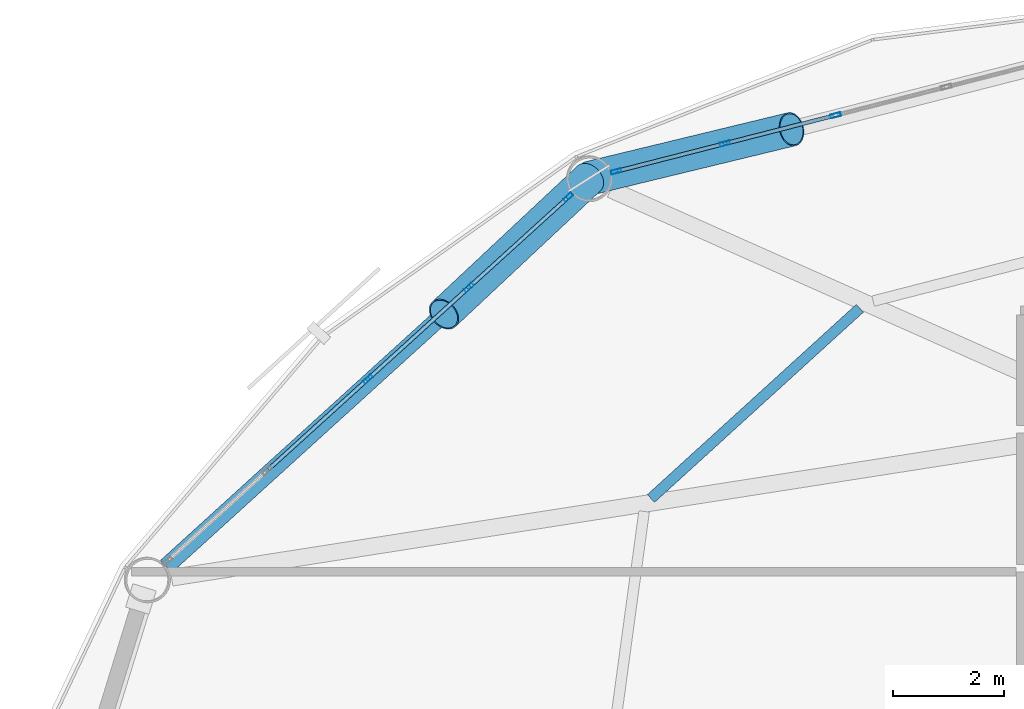
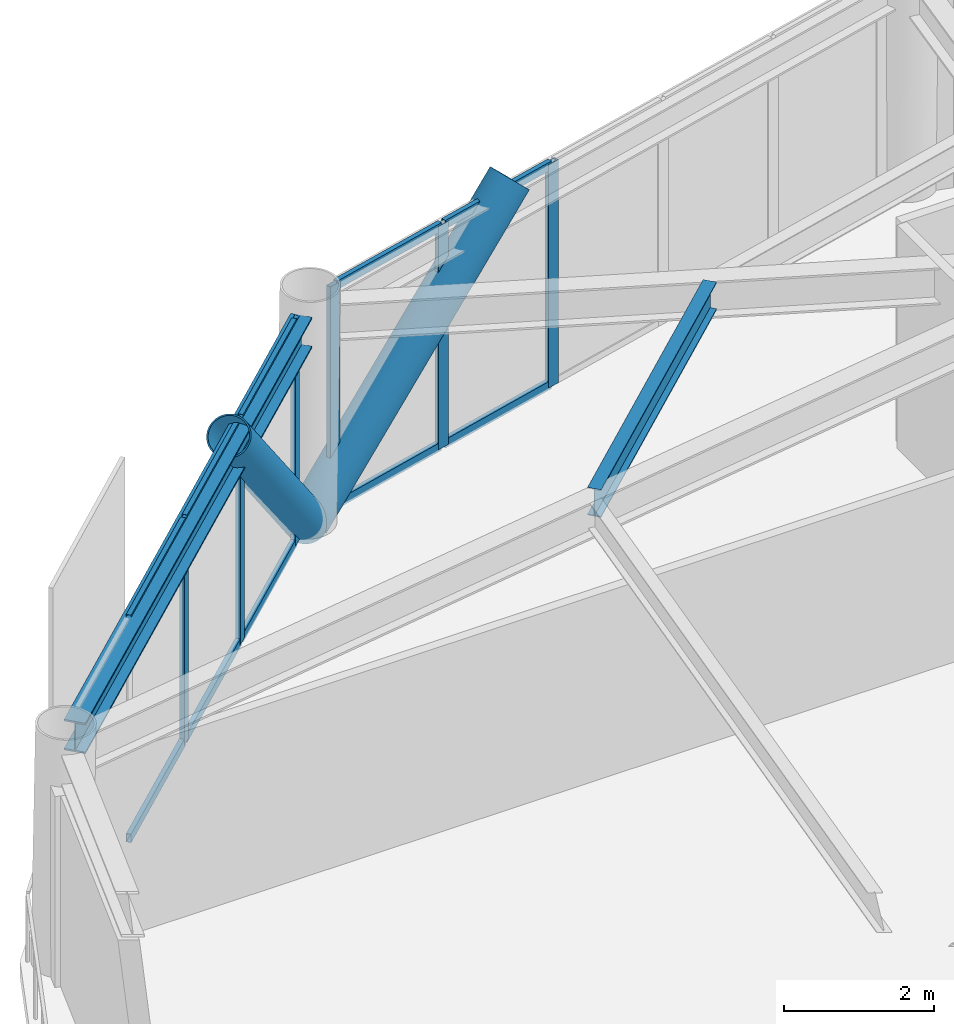
# One storey, part 16 of 26: 18 members, 2 beams, 2 elements without a shape of their own.
"""IFC4 building model written with IfcOpenShell, lengths in metres."""

from ifc_helpers import new_model, si_unit, direction, frame, origin, origin_2d, place, context, subcontext, project, spatial, hollow_rectangle, hollow_circle, i_section, extrude, material, layer, layer_set, material_profile, profile_set, type_object, element, aggregate, save


model = new_model("IFC4")

# Units and contexts
model_context = context("Model", 3, precision=1e-05, world=origin(), true_north=direction((0.0, 1.0)))
body_context = subcontext(model_context, "Body", "Model", "MODEL_VIEW")
ifc_project = project(units=[si_unit("LENGTHUNIT", "METRE"), si_unit("AREAUNIT", "SQUARE_METRE"), si_unit("VOLUMEUNIT", "CUBIC_METRE"), si_unit("PLANEANGLEUNIT", "RADIAN"), si_unit("MASSUNIT", "GRAM", prefix="KILO")], contexts=[model_context])

# Site, building, storey
site_placement = place(None, origin())
site = spatial("IfcSite", under=ifc_project, at=site_placement, CompositionType="ELEMENT")
building_placement = place(site_placement, origin())
building = spatial("IfcBuilding", under=site, at=building_placement, Name="Varnakorn Sky Granary", CompositionType="ELEMENT")
storey_placement = place(building_placement, frame((0.0, 0.0, 87.60009765625)))
storey = spatial("IfcBuildingStorey", under=building, at=storey_placement, Name="L21", CompositionType="ELEMENT", Elevation=87.60009765625)

# Beams
ifc_material_1 = material(Name="Steel S355JR", Category="steel")
ifc_material_profile_1 = material_profile(ifc_material_1, i_section(OverallWidth=0.18994140625, OverallDepth=0.449951171875, WebThickness=0.009521484375, FlangeThickness=0.0146484375, at=origin_2d()), Name="IPE 450")
ifc_profile_set_1 = profile_set([ifc_material_profile_1], Name="Steel S355JR")
beam_type_1 = type_object("IfcBeamType", Name="BM-SEC-Z2", PredefinedType="BEAM", material=ifc_profile_set_1)
beam_1_placement = place(storey_placement, frame((-7.488525390625, 14.737548828125, 3.414794921875), z_axis=(-0.739520126084, -0.673134446539, 0.0), x_axis=(0.673134446539, -0.739520126084, 0.0)))
element("IfcBeam", 1, at=beam_1_placement, inside=storey, type_object=beam_type_1, Name="Secondary Floor Chord Beam MSB05 L21", PredefinedType="BEAM", context=body_context, shape_type="SweptSolid", body=[
    extrude(i_section(OverallWidth=0.18994140625, OverallDepth=0.449951171875, WebThickness=0.009521484375, FlangeThickness=0.0146484375, at=origin_2d()), origin(), (0.0, 0.0, 1.0), 5.078857421875),
])
ifc_material_profile_2 = material_profile(ifc_material_1, i_section(OverallWidth=0.300048828125, OverallDepth=0.5, WebThickness=0.014404296875, FlangeThickness=0.028076171875, at=origin_2d()), Name="HE 500 B")
ifc_profile_set_2 = profile_set([ifc_material_profile_2], Name="Steel S355JR")
beam_type_2 = type_object("IfcBeamType", Name="BM-SPD-Z2", PredefinedType="SPANDREL", material=ifc_profile_set_2)
beam_2_placement = place(storey_placement, frame((-12.61376953125, 16.768798828125, 3.389892578125), z_axis=(-0.740163814334, -0.6724265967, 0.0), x_axis=(0.6724265967, -0.740163814334, 0.0)))
element("IfcBeam", 2, at=beam_2_placement, inside=storey, type_object=beam_type_2, Name="Perimeter Spandrel Ring Beam RB05 L21", PredefinedType="SPANDREL", context=body_context, shape_type="SweptSolid", body=[
    extrude(i_section(OverallWidth=0.300048828125, OverallDepth=0.5, WebThickness=0.014404296875, FlangeThickness=0.028076171875, at=origin_2d()), origin(), (0.0, 0.0, 1.0), 9.92236328125),
])

# Curtain wall, members
ifc_material_2 = material(Name="Anodised Bronze Aluminium Alloy 6063-T6", Category="aluminium")
ifc_layer = layer(ifc_material_2, 0.18994140625, Name="Anodised Bronze Aluminium Alloy 6063-T6")
ifc_layer_set = layer_set([ifc_layer], Name="Anodised Bronze Aluminium Alloy 6063-T6")
curtain_wall_type = type_object("IfcCurtainWallType", Name="CW-FRM-1", PredefinedType="USERDEFINED", material=ifc_layer_set)
curtain_wall_1_placement = place(storey_placement, origin())
curtain_wall_1 = element("IfcCurtainWall", 3, at=curtain_wall_1_placement, inside=storey, type_object=curtain_wall_type, Name="Unitised Curtain Wall CW3 CW-L21-B04", ObjectType="CURTAIN WALL", PredefinedType="USERDEFINED")
ifc_material_profile_3 = material_profile(ifc_material_2, hollow_rectangle(XDim=0.070068359375, YDim=0.18505859375, WallThickness=0.00390625, at=origin_2d()), Name="ALU MULL 70x185")
ifc_profile_set_3 = profile_set([ifc_material_profile_3], Name="Anodised Bronze Aluminium Alloy 6063-T6")
member_type_1 = type_object("IfcMemberType", Name="CW-FRM-1-MULL", PredefinedType="MULLION", material=ifc_profile_set_3)
member_1_placement = place(storey_placement, frame((-11.87158203125, 17.197998046875, 0.0), z_axis=(0.0, 0.0, 1.0), x_axis=(-0.247728719051, 0.96882943894, 0.0)))
member_1 = element("IfcMember", 4, at=member_1_placement, type_object=member_type_1, Name="CW3 mullion 1", PredefinedType="MULLION", context=body_context, shape_type="SweptSolid", body=[
    extrude(hollow_rectangle(XDim=0.070068359375, YDim=0.18505859375, WallThickness=0.00390625, at=origin_2d()), origin(), (0.0, 0.0, 1.0), 3.639892578125),
])
member_2_placement = place(storey_placement, frame((-9.914794921875, 17.6982421875, 0.0), z_axis=(0.0, 0.0, 1.0), x_axis=(-0.247728719051, 0.96882943894, 0.0)))
member_2 = element("IfcMember", 5, at=member_2_placement, type_object=member_type_1, Name="CW3 mullion 2", PredefinedType="MULLION", context=body_context, shape_type="SweptSolid", body=[
    extrude(hollow_rectangle(XDim=0.070068359375, YDim=0.18505859375, WallThickness=0.00390625, at=origin_2d()), origin(), (0.0, 0.0, 1.0), 3.639892578125),
])
member_3_placement = place(storey_placement, frame((-7.924072265625, 18.207275390625, 0.0), z_axis=(0.0, 0.0, 1.0), x_axis=(-0.247728719051, 0.96882943894, 0.0)))
member_3 = element("IfcMember", 6, at=member_3_placement, type_object=member_type_1, Name="CW3 mullion 3", PredefinedType="MULLION", context=body_context, shape_type="SweptSolid", body=[
    extrude(hollow_rectangle(XDim=0.070068359375, YDim=0.18505859375, WallThickness=0.00390625, at=origin_2d()), origin(), (0.0, 0.0, 1.0), 3.639892578125),
])

curtain_wall_2_placement = place(storey_placement, origin())
curtain_wall_2 = element("IfcCurtainWall", 7, at=curtain_wall_2_placement, inside=storey, type_object=curtain_wall_type, Name="Unitised Curtain Wall CW3 CW-L21-B05", ObjectType="CURTAIN WALL", PredefinedType="USERDEFINED")
member_4_placement = place(storey_placement, frame((-16.33154296875, 13.465576171875, 0.0), z_axis=(0.0, 0.0, 1.0), x_axis=(-0.672190262797, 0.74037845093, 0.0)))
member_4 = element("IfcMember", 8, at=member_4_placement, type_object=member_type_1, Name="CW3 mullion 3", PredefinedType="MULLION", context=body_context, shape_type="SweptSolid", body=[
    extrude(hollow_rectangle(XDim=0.070068359375, YDim=0.18505859375, WallThickness=0.00390625, at=origin_2d()), origin(), (0.0, 0.0, 1.0), 3.639892578125),
])
member_5_placement = place(storey_placement, frame((-14.517333984375, 15.11279296875, 0.0), z_axis=(0.0, 0.0, 1.0), x_axis=(-0.672190262797, 0.74037845093, 0.0)))
member_5 = element("IfcMember", 9, at=member_5_placement, type_object=member_type_1, Name="CW3 mullion 4", PredefinedType="MULLION", context=body_context, shape_type="SweptSolid", body=[
    extrude(hollow_rectangle(XDim=0.070068359375, YDim=0.18505859375, WallThickness=0.00390625, at=origin_2d()), origin(), (0.0, 0.0, 1.0), 3.639892578125),
])
member_6_placement = place(storey_placement, frame((-12.728759765625, 16.736572265625, 0.0), z_axis=(0.0, 0.0, 1.0), x_axis=(-0.672190262797, 0.74037845093, 0.0)))
member_6 = element("IfcMember", 10, at=member_6_placement, type_object=member_type_1, Name="CW3 mullion 5", PredefinedType="MULLION", context=body_context, shape_type="SweptSolid", body=[
    extrude(hollow_rectangle(XDim=0.070068359375, YDim=0.18505859375, WallThickness=0.00390625, at=origin_2d()), origin(), (0.0, 0.0, 1.0), 3.639892578125),
])

# Member
ifc_material_profile_4 = material_profile(ifc_material_2, hollow_rectangle(XDim=0.070068359375, YDim=0.139892578125, WallThickness=0.00341796875, at=origin_2d()), Name="ALU TRAN 70x140")
ifc_profile_set_4 = profile_set([ifc_material_profile_4], Name="Anodised Bronze Aluminium Alloy 6063-T6")
member_type_2 = type_object("IfcMemberType", Name="CW-FRM-1-TRAN", PredefinedType="USERDEFINED", material=ifc_profile_set_4)
member_7_placement = place(storey_placement, frame((-11.837646484375, 17.20654296875, 0.034912109375), z_axis=(0.968809695946, 0.247805918092, 0.0), x_axis=(-0.247805918092, 0.968809695946, 0.0)))
member_7 = element("IfcMember", 11, at=member_7_placement, type_object=member_type_2, Name="CW3 transom 1.1", ObjectType="TRANSOM", PredefinedType="USERDEFINED", context=body_context, shape_type="SweptSolid", body=[
    extrude(hollow_rectangle(XDim=0.070068359375, YDim=0.139892578125, WallThickness=0.00341796875, at=origin_2d()), origin(), (0.0, 0.0, 1.0), 1.94970703125),
])

member_8_placement = place(storey_placement, frame((-11.837646484375, 17.20654296875, 3.60498046875), z_axis=(0.968809695946, 0.247805918092, 0.0), x_axis=(-0.247805918092, 0.968809695946, 0.0)))
member_8 = element("IfcMember", 12, at=member_8_placement, type_object=member_type_2, Name="CW3 transom 1.2", ObjectType="TRANSOM", PredefinedType="USERDEFINED", context=body_context, shape_type="SweptSolid", body=[
    extrude(hollow_rectangle(XDim=0.070068359375, YDim=0.139892578125, WallThickness=0.00341796875, at=origin_2d()), origin(), (0.0, 0.0, 1.0), 1.94970703125),
])

member_9_placement = place(storey_placement, frame((-9.880859375, 17.70703125, 0.034912109375), z_axis=(0.968826053327, 0.247741959294, 0.0), x_axis=(-0.247741959294, 0.968826053327, 0.0)))
member_9 = element("IfcMember", 13, at=member_9_placement, type_object=member_type_2, Name="CW3 transom 2.1", ObjectType="TRANSOM", PredefinedType="USERDEFINED", context=body_context, shape_type="SweptSolid", body=[
    extrude(hollow_rectangle(XDim=0.070068359375, YDim=0.139892578125, WallThickness=0.00341796875, at=origin_2d()), origin(), (0.0, 0.0, 1.0), 1.984619140625),
])

member_10_placement = place(storey_placement, frame((-9.880859375, 17.70703125, 3.60498046875), z_axis=(0.968826053327, 0.247741959294, 0.0), x_axis=(-0.247741959294, 0.968826053327, 0.0)))
member_10 = element("IfcMember", 14, at=member_10_placement, type_object=member_type_2, Name="CW3 transom 2.2", ObjectType="TRANSOM", PredefinedType="USERDEFINED", context=body_context, shape_type="SweptSolid", body=[
    extrude(hollow_rectangle(XDim=0.070068359375, YDim=0.139892578125, WallThickness=0.00341796875, at=origin_2d()), origin(), (0.0, 0.0, 1.0), 1.984619140625),
])

aggregate(curtain_wall_1, [member_1, member_2, member_3, member_7, member_8, member_9, member_10])

member_11_placement = place(storey_placement, frame((-18.1201171875, 11.841796875, 0.034912109375), z_axis=(0.740380722285, 0.672187761022, 0.0), x_axis=(-0.672187761022, 0.740380722285, 0.0)))
member_11 = element("IfcMember", 15, at=member_11_placement, type_object=member_type_2, Name="CW3 transom 2.1", ObjectType="TRANSOM", PredefinedType="USERDEFINED", context=body_context, shape_type="SweptSolid", body=[
    extrude(hollow_rectangle(XDim=0.070068359375, YDim=0.139892578125, WallThickness=0.00341796875, at=origin_2d()), origin(), (0.0, 0.0, 1.0), 2.380859375),
])

member_12_placement = place(storey_placement, frame((-18.1201171875, 11.841796875, 3.60498046875), z_axis=(0.740380722285, 0.672187761022, 0.0), x_axis=(-0.672187761022, 0.740380722285, 0.0)))
member_12 = element("IfcMember", 16, at=member_12_placement, type_object=member_type_2, Name="CW3 transom 2.2", ObjectType="TRANSOM", PredefinedType="USERDEFINED", context=body_context, shape_type="SweptSolid", body=[
    extrude(hollow_rectangle(XDim=0.070068359375, YDim=0.139892578125, WallThickness=0.00341796875, at=origin_2d()), origin(), (0.0, 0.0, 1.0), 2.380859375),
])

member_13_placement = place(storey_placement, frame((-16.3056640625, 13.489013671875, 0.034912109375), z_axis=(0.740334383082, 0.67223879777, 0.0), x_axis=(-0.67223879777, 0.740334383082, 0.0)))
member_13 = element("IfcMember", 17, at=member_13_placement, type_object=member_type_2, Name="CW3 transom 3.1", ObjectType="TRANSOM", PredefinedType="USERDEFINED", context=body_context, shape_type="SweptSolid", body=[
    extrude(hollow_rectangle(XDim=0.070068359375, YDim=0.139892578125, WallThickness=0.00341796875, at=origin_2d()), origin(), (0.0, 0.0, 1.0), 2.380615234375),
])

member_14_placement = place(storey_placement, frame((-16.3056640625, 13.489013671875, 3.60498046875), z_axis=(0.740334383082, 0.67223879777, 0.0), x_axis=(-0.67223879777, 0.740334383082, 0.0)))
member_14 = element("IfcMember", 18, at=member_14_placement, type_object=member_type_2, Name="CW3 transom 3.2", ObjectType="TRANSOM", PredefinedType="USERDEFINED", context=body_context, shape_type="SweptSolid", body=[
    extrude(hollow_rectangle(XDim=0.070068359375, YDim=0.139892578125, WallThickness=0.00341796875, at=origin_2d()), origin(), (0.0, 0.0, 1.0), 2.380615234375),
])

member_15_placement = place(storey_placement, frame((-14.491455078125, 15.136474609375, 0.034912109375), z_axis=(0.740420250797, 0.672144219799, 0.0), x_axis=(-0.672144219799, 0.740420250797, 0.0)))
member_15 = element("IfcMember", 19, at=member_15_placement, type_object=member_type_2, Name="CW3 transom 4.1", ObjectType="TRANSOM", PredefinedType="USERDEFINED", context=body_context, shape_type="SweptSolid", body=[
    extrude(hollow_rectangle(XDim=0.070068359375, YDim=0.139892578125, WallThickness=0.00341796875, at=origin_2d()), origin(), (0.0, 0.0, 1.0), 2.345703125),
])

member_16_placement = place(storey_placement, frame((-14.491455078125, 15.136474609375, 3.60498046875), z_axis=(0.740420250797, 0.672144219799, 0.0), x_axis=(-0.672144219799, 0.740420250797, 0.0)))
member_16 = element("IfcMember", 20, at=member_16_placement, type_object=member_type_2, Name="CW3 transom 4.2", ObjectType="TRANSOM", PredefinedType="USERDEFINED", context=body_context, shape_type="SweptSolid", body=[
    extrude(hollow_rectangle(XDim=0.070068359375, YDim=0.139892578125, WallThickness=0.00341796875, at=origin_2d()), origin(), (0.0, 0.0, 1.0), 2.345703125),
])

aggregate(curtain_wall_2, [member_4, member_5, member_6, member_11, member_12, member_13, member_14, member_15, member_16])

# Members
ifc_material_3 = material(Name="Steel S460M", Category="steel")
ifc_material_profile_5 = material_profile(ifc_material_3, hollow_circle(Radius=0.304931640625, WallThickness=0.022216796875, at=origin_2d()), Name="CHS 610x22")
ifc_profile_set_5 = profile_set([ifc_material_profile_5], Name="Steel S460M")
member_type_3 = type_object("IfcMemberType", Name="MB-DIAG-T1", PredefinedType="BRACE", material=ifc_profile_set_5)
member_17_placement = place(storey_placement, frame((-12.357421875, 17.07373046875, 0.0), z_axis=(0.683297765195, 0.165429985258, 0.711151941611), x_axis=(-0.235307200809, 0.971921046818, 0.0)))
element("IfcMember", 21, at=member_17_placement, inside=storey, type_object=member_type_3, Name="Perimeter CHS Diagrid Brace DG04 L21", PredefinedType="BRACE", context=body_context, shape_type="SweptSolid", body=[
    extrude(hollow_circle(Radius=0.304931640625, WallThickness=0.022216796875, at=origin_2d()), origin(), (0.0, 0.0, 1.0), 5.3291015625),
])
member_18_placement = place(storey_placement, frame((-12.357421875, 17.07373046875, 0.0), z_axis=(-0.500717987003, -0.468746292673, 0.727707640881), x_axis=(0.683415763034, -0.730029379434, 0.0)))
element("IfcMember", 22, at=member_18_placement, inside=storey, type_object=member_type_3, Name="Perimeter CHS Diagrid Brace DG05 L21", PredefinedType="BRACE", context=body_context, shape_type="SweptSolid", body=[
    extrude(hollow_circle(Radius=0.304931640625, WallThickness=0.022216796875, at=origin_2d()), origin(), (0.0, 0.0, 1.0), 5.207763671875),
])

save(model, "model.ifc")
